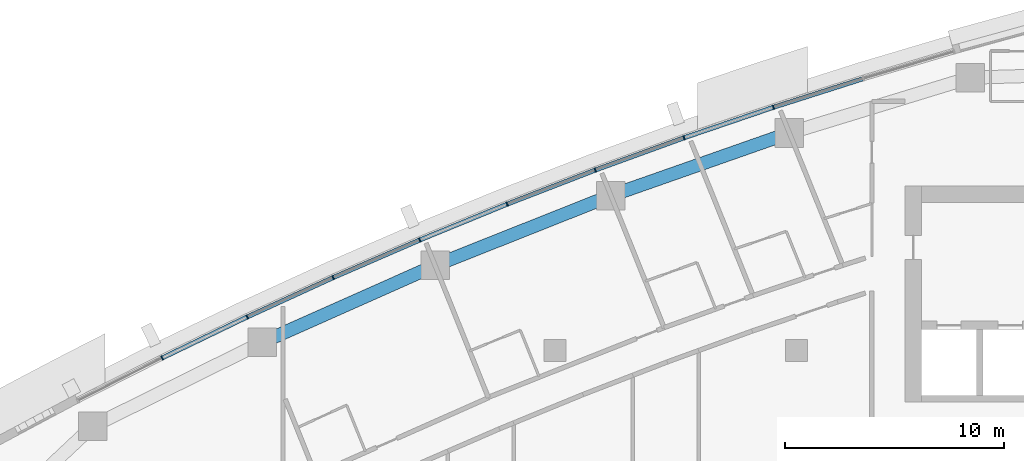
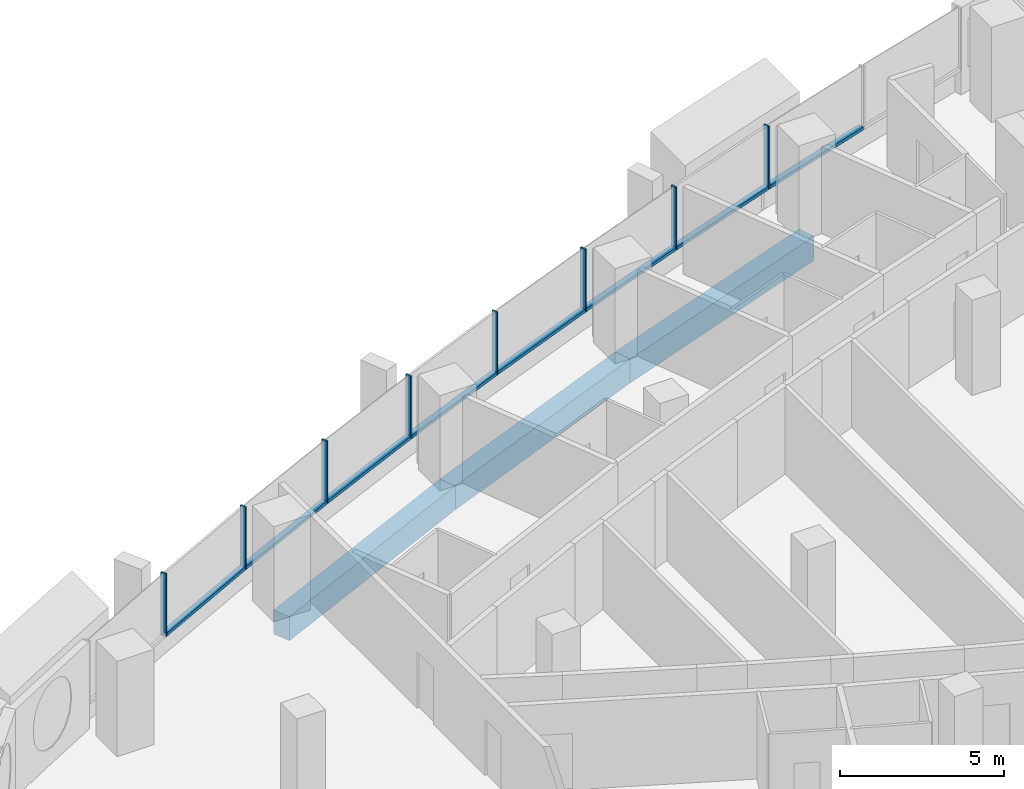
# One storey, part 6 of 17: 16 members, 3 beams, 5 elements without a shape of their own.
"""IFC4 building model written with IfcOpenShell, lengths in metres."""

import ifcopenshell
import ifcopenshell.guid

model = None  # the IFC model being written
_history = None  # IfcOwnerHistory: only IFC2X3 demands one
_inside = {}  # id of a spatial element -> (the spatial element, [elements in it])
_under = {}  # id of a project, library or spatial element -> (it, [spatial elements below it])
_declared = {}  # id of a project -> (the project, [libraries it declares])
_typed = {}  # id of a type object -> (the type object, [elements of that type])
_made_of = {}  # id of a material, layer set ... -> (it, [elements and type objects made of it])


def new_model(schema):
    """Start an empty IFC model of exactly this schema.

    Asked for "IFC4X3", IfcOpenShell would pick the latest addendum, in which some entities
    have other attributes; the version numbers below select the first issue.
    IFC2X3 requires an IfcOwnerHistory on every rooted entity: one is made here for all.
    """
    global model, _history
    if schema == "IFC4X3":
        model = ifcopenshell.file(schema_version=(4, 3, 0, 0))
    else:
        model = ifcopenshell.file(schema=schema)
    _inside.clear()
    _under.clear()
    _declared.clear()
    _typed.clear()
    _made_of.clear()
    _history = None
    if model.schema == "IFC2X3":
        org = make("IfcOrganization", Name="unknown")
        user = make(
            "IfcPersonAndOrganization",
            ThePerson=make("IfcPerson", FamilyName="unknown"),
            TheOrganization=org,
        )
        app = make(
            "IfcApplication",
            ApplicationDeveloper=org,
            Version="unknown",
            ApplicationFullName="unknown",
            ApplicationIdentifier="unknown",
        )
        _history = make(
            "IfcOwnerHistory",
            OwningUser=user,
            OwningApplication=app,
            ChangeAction="ADDED",
            CreationDate=0,
        )
    return model


def make(cls, **values):
    """One entity of the class cls with the attributes given. An attribute that is None is left unset."""
    return model.create_entity(
        cls, **{name: value for name, value in values.items() if value is not None}
    )


def rooted(cls, **values):
    """An entity with a GlobalId (a new one), such as an element, a storey or a relation."""
    return make(cls, GlobalId=ifcopenshell.guid.new(), OwnerHistory=_history, **values)


def si_unit(unit_type, name, prefix=None):
    """IfcSIUnit, for example si_unit("LENGTHUNIT", "METRE", prefix="MILLI")."""
    return make("IfcSIUnit", UnitType=unit_type, Prefix=prefix, Name=name)


def assignment(units):
    """IfcUnitAssignment: the units of a project."""
    return None if units is None else make("IfcUnitAssignment", Units=units)


def point(xyz):
    """IfcCartesianPoint."""
    return None if xyz is None else make("IfcCartesianPoint", Coordinates=xyz)


def direction(xyz):
    """IfcDirection."""
    return None if xyz is None else make("IfcDirection", DirectionRatios=xyz)


def frame(location, z_axis=None, x_axis=None):
    """IfcAxis2Placement3D, a coordinate frame: its origin and axes. An axis left out is left unset."""
    return make(
        "IfcAxis2Placement3D",
        Location=point(location),
        Axis=direction(z_axis),
        RefDirection=direction(x_axis),
    )


def frame_2d(location, x_axis=None):
    """IfcAxis2Placement2D, a coordinate frame in the plane: its origin and x axis."""
    return make(
        "IfcAxis2Placement2D", Location=point(location), RefDirection=direction(x_axis)
    )


def origin():
    """The frame at (0, 0, 0) with its axes left unset."""
    return frame((0.0, 0.0, 0.0))


def origin_2d():
    """The frame at (0, 0) in the plane with its x axis left unset."""
    return frame_2d((0.0, 0.0))


def place(relative_to, where):
    """IfcLocalPlacement: puts the frame where relative to a parent placement (None: the world)."""
    return make(
        "IfcLocalPlacement", PlacementRelTo=relative_to, RelativePlacement=where
    )


def context(
    kind, dimensions, precision=None, world=None, true_north=None, identifier=None
):
    """IfcGeometricRepresentationContext, for example the 3D "Model" context."""
    return make(
        "IfcGeometricRepresentationContext",
        ContextIdentifier=identifier,
        ContextType=kind,
        CoordinateSpaceDimension=dimensions,
        Precision=precision,
        WorldCoordinateSystem=world,
        TrueNorth=true_north,
    )


def subcontext(parent, identifier, kind, view, scale=None):
    """IfcGeometricRepresentationSubContext, for example "Body" below "Model"."""
    return make(
        "IfcGeometricRepresentationSubContext",
        ContextIdentifier=identifier,
        ContextType=kind,
        ParentContext=parent,
        TargetScale=scale,
        TargetView=view,
    )


def project(units=None, contexts=None):
    """IfcProject with its units and contexts."""
    return rooted(
        "IfcProject",
        Name="project",
        RepresentationContexts=contexts,
        UnitsInContext=assignment(units),
    )


def spatial(cls, under=None, at=None, **own):
    """A site, building, storey or space (cls), placed at a placement, below another one or the project."""
    s = rooted(cls, ObjectPlacement=at, **own)
    if under is not None:
        _under.setdefault(under.id(), (under, []))[1].append(s)
    return s


def profile(cls, at=None, kind="AREA", **sizes):
    """A parametric profile (cls). Its sizes go by their IFC names, for example OverallWidth=200.0."""
    return make(cls, ProfileType=kind, Position=at, **sizes)


def rectangle(**sizes):
    """IfcRectangleProfileDef."""
    return profile("IfcRectangleProfileDef", **sizes)


def extrude(swept, where, along, depth):
    """IfcExtrudedAreaSolid: the profile swept, set in the frame where, extruded along a direction by depth."""
    return make(
        "IfcExtrudedAreaSolid",
        SweptArea=swept,
        Position=where,
        ExtrudedDirection=direction(along),
        Depth=depth,
    )


def shape(context_of_items, identifier, shape_type, items):
    """IfcShapeRepresentation: the items that make up one representation, for example the "Body"."""
    return make(
        "IfcShapeRepresentation",
        ContextOfItems=context_of_items,
        RepresentationIdentifier=identifier,
        RepresentationType=shape_type,
        Items=items,
    )


def material(Name=None, Category=None):
    """IfcMaterial."""
    return make("IfcMaterial", Name=Name, Category=Category)


def layer(
    of_material, thickness, ventilated=None, Name=None, Category=None, Priority=None
):
    """IfcMaterialLayer: one layer of a wall or slab, of a material (None: an air gap)."""
    return make(
        "IfcMaterialLayer",
        Material=of_material,
        LayerThickness=thickness,
        IsVentilated=ventilated,
        Name=Name,
        Category=Category,
        Priority=Priority,
    )


def layer_set(layers, Name=None):
    """IfcMaterialLayerSet."""
    return make("IfcMaterialLayerSet", MaterialLayers=layers, LayerSetName=Name)


def material_profile(
    of_material, cross_section, Name=None, Category=None, Priority=None
):
    """IfcMaterialProfile: a cross section and its material."""
    return make(
        "IfcMaterialProfile",
        Name=Name,
        Material=of_material,
        Profile=cross_section,
        Priority=Priority,
        Category=Category,
    )


def profile_set(profiles, Name=None, composite=None):
    """IfcMaterialProfileSet."""
    return make(
        "IfcMaterialProfileSet",
        Name=Name,
        MaterialProfiles=profiles,
        CompositeProfile=composite,
    )


def made_of(thing, what):
    """Note that an element or type object is made of a material, layer set ...; save() writes the relation."""
    if what is not None:
        _made_of.setdefault(what.id(), (what, []))[1].append(thing)
    return thing


def type_object(cls, material=None, **own):
    """A type object (cls), such as IfcWallType, which elements share."""
    return made_of(rooted(cls, **own), material)


def element(
    cls,
    number,
    at=None,
    inside=None,
    cuts=None,
    type_object=None,
    material=None,
    context=None,
    identifier="Body",
    shape_type=None,
    held_by="IfcProductDefinitionShape",
    body=None,
    shapes=None,
    **own,
):
    """One element of the class cls, such as IfcWall. Its Tag is "e" and its number.

    at: its placement. inside: the storey or other place that contains it. cuts: it is an
    opening in that element (IfcRelVoidsElement). A single representation is given by context,
    identifier, shape_type and body (its items); several are given by shapes. held_by: the class
    of the entity that holds the representations. save() writes the other relations.
    """
    e = rooted(cls, Tag="e%d" % number, ObjectPlacement=at, **own)
    if body is not None:
        shapes = [shape(context, identifier, shape_type, body)]
    if shapes is not None:
        e.Representation = make(held_by, Representations=shapes)
    if inside is not None:
        _inside.setdefault(inside.id(), (inside, []))[1].append(e)
    if cuts is not None:
        rooted(
            "IfcRelVoidsElement", RelatingBuildingElement=cuts, RelatedOpeningElement=e
        )
    if type_object is not None:
        _typed.setdefault(type_object.id(), (type_object, []))[1].append(e)
    return made_of(e, material)


def aggregate(whole, parts):
    """IfcRelAggregates: a whole, such as a stair, and the parts it consists of."""
    return rooted("IfcRelAggregates", RelatingObject=whole, RelatedObjects=parts)


def save(model, path):
    """Write the relations noted so far, then the file.

    IfcRelAggregates (storeys below a building ...), IfcRelContainedInSpatialStructure (elements
    in a storey), IfcRelDefinesByType, IfcRelAssociatesMaterial and IfcRelDeclares: one each for
    every whole, place, type object, material and project.
    """
    for whole, parts in _under.values():
        aggregate(whole, parts)
    for where, things in _inside.values():
        rooted(
            "IfcRelContainedInSpatialStructure",
            RelatedElements=things,
            RelatingStructure=where,
        )
    for kind, things in _typed.values():
        rooted("IfcRelDefinesByType", RelatedObjects=things, RelatingType=kind)
    for what, things in _made_of.values():
        rooted("IfcRelAssociatesMaterial", RelatedObjects=things, RelatingMaterial=what)
    for by, libraries in _declared.values():
        rooted("IfcRelDeclares", RelatingContext=by, RelatedDefinitions=libraries)
    model.write(path)


model = new_model("IFC4")

# Units and contexts
model_context = context("Model", 3, precision=1e-05, world=origin(), true_north=direction((0.0, 1.0)))
body_context = subcontext(model_context, "Body", "Model", "MODEL_VIEW")
ifc_project = project(units=[si_unit("LENGTHUNIT", "METRE"), si_unit("AREAUNIT", "SQUARE_METRE"), si_unit("VOLUMEUNIT", "CUBIC_METRE"), si_unit("PLANEANGLEUNIT", "RADIAN"), si_unit("MASSUNIT", "GRAM", prefix="KILO")], contexts=[model_context])

# Site, building, storey
site_placement = place(None, origin())
site = spatial("IfcSite", under=ifc_project, at=site_placement, CompositionType="ELEMENT")
building_placement = place(site_placement, origin())
building = spatial("IfcBuilding", under=site, at=building_placement, Name="Ostrand Prow Hotel Tower", CompositionType="ELEMENT")
storey_placement = place(building_placement, frame((0.0, 0.0, 179.050048828125)))
storey = spatial("IfcBuildingStorey", under=building, at=storey_placement, Name="L44", CompositionType="ELEMENT", Elevation=179.050048828125)

# Beams
ifc_material_1 = material(Name="Concrete C60/75", Category="concrete")
ifc_material_profile_1 = material_profile(ifc_material_1, rectangle(XDim=0.60009765625, YDim=0.89990234375, at=origin_2d()), Name="RC 600x900")
ifc_profile_set_1 = profile_set([ifc_material_profile_1], Name="Concrete C60/75")
beam_type = type_object("IfcBeamType", Name="Edge beam 600x900 C60/75", PredefinedType="SPANDREL", material=ifc_profile_set_1)
for number, where, z_axis, x_axis, name in (
    (1, (44.6826171875, 18.91552734375, -0.75), (-0.943593618681, -0.33110584831, 0.0), (0.33110584831, -0.943593618681, 0.0), "Edge beam N2-N3"),
    (2, (36.547119140625, 16.060791015625, -0.75), (-0.929376173753, -0.36913402398, 0.0), (0.36913402398, -0.929376173753, 0.0), "Edge beam N3-N4"),
    (3, (28.5341796875, 12.878173828125, -0.75), (-0.91364332073, -0.406516767779, 0.0), (0.406516767779, -0.91364332073, 0.0), "Edge beam N4-N5"),
):
    element("IfcBeam", number, at=place(storey_placement, frame(where, z_axis=z_axis, x_axis=x_axis)), inside=storey, type_object=beam_type, Name=name, PredefinedType="SPANDREL", context=body_context, shape_type="SweptSolid", body=[
        extrude(rectangle(XDim=0.60009765625, YDim=0.89990234375, at=origin_2d()), origin(), (0.0, 0.0, 1.0), 8.621826171875),
    ])

# Curtain wall, member
ifc_material_2 = material(Name="Insulated glass in bronze anodised frame", Category="glass")
ifc_layer = layer(ifc_material_2, 0.199951171875)
ifc_layer_set = layer_set([ifc_layer], Name="Insulated glass in bronze anodised frame")
curtain_wall_type = type_object("IfcCurtainWallType", Name="Strip curtain wall, fritted glass over bronze spandrel", PredefinedType="NOTDEFINED", material=ifc_layer_set)
curtain_wall_1_placement = place(storey_placement, origin())
curtain_wall_1 = element("IfcCurtainWall", 4, at=curtain_wall_1_placement, inside=storey, type_object=curtain_wall_type, Name="CW1 run CWN1", PredefinedType="NOTDEFINED")
ifc_material_3 = material(Name="Bronze anodised aluminium", Category="aluminium")
ifc_material_profile_2 = material_profile(ifc_material_3, rectangle(XDim=0.199951171875, YDim=0.06005859375, at=origin_2d()), Name="Mullion 60x200 bronze anodised aluminium")
ifc_profile_set_2 = profile_set([ifc_material_profile_2], Name="Bronze anodised aluminium")
member_type_1 = type_object("IfcMemberType", Name="Mullion 60x200 bronze anodised aluminium", PredefinedType="MULLION", material=ifc_profile_set_2)
member_1_placement = place(storey_placement, frame((43.95361328125, 20.086669921875, 0.89990234375), z_axis=(0.0, 0.0, 1.0), x_axis=(0.303786970008, -0.952739983864, 0.0)))
member_1 = element("IfcMember", 5, at=member_1_placement, type_object=member_type_1, Name="CW1 mullion 3", PredefinedType="MULLION", context=body_context, shape_type="SweptSolid", body=[
    extrude(rectangle(XDim=0.199951171875, YDim=0.06005859375, at=origin_2d()), origin(), (0.0, 0.0, 1.0), 2.35009765625),
])

# Curtain wall, members
curtain_wall_2_placement = place(storey_placement, origin())
curtain_wall_2 = element("IfcCurtainWall", 6, at=curtain_wall_2_placement, inside=storey, type_object=curtain_wall_type, Name="CW1 run CWN2", PredefinedType="NOTDEFINED")
member_2_placement = place(storey_placement, frame((39.87939453125, 18.696533203125, 0.89990234375), z_axis=(0.0, 0.0, 1.0), x_axis=(0.341897134919, -0.939737383067, 0.0)))
member_2 = element("IfcMember", 7, at=member_2_placement, type_object=member_type_1, Name="CW1 mullion 2", PredefinedType="MULLION", context=body_context, shape_type="SweptSolid", body=[
    extrude(rectangle(XDim=0.199951171875, YDim=0.06005859375, at=origin_2d()), origin(), (0.0, 0.0, 1.0), 2.35009765625),
])
member_3_placement = place(storey_placement, frame((35.833740234375, 17.224609375, 0.89990234375), z_axis=(0.0, 0.0, 1.0), x_axis=(0.341897134919, -0.939737383067, 0.0)))
member_3 = element("IfcMember", 8, at=member_3_placement, type_object=member_type_1, Name="CW1 mullion 3", PredefinedType="MULLION", context=body_context, shape_type="SweptSolid", body=[
    extrude(rectangle(XDim=0.199951171875, YDim=0.06005859375, at=origin_2d()), origin(), (0.0, 0.0, 1.0), 2.35009765625),
])

curtain_wall_3_placement = place(storey_placement, origin())
curtain_wall_3 = element("IfcCurtainWall", 9, at=curtain_wall_3_placement, inside=storey, type_object=curtain_wall_type, Name="CW1 run CWN3", PredefinedType="NOTDEFINED")
member_4_placement = place(storey_placement, frame((31.818603515625, 15.671630859375, 0.89990234375), z_axis=(0.0, 0.0, 1.0), x_axis=(0.379452929936, -0.925211042932, 0.0)))
member_4 = element("IfcMember", 10, at=member_4_placement, type_object=member_type_1, Name="CW1 mullion 2", PredefinedType="MULLION", context=body_context, shape_type="SweptSolid", body=[
    extrude(rectangle(XDim=0.199951171875, YDim=0.06005859375, at=origin_2d()), origin(), (0.0, 0.0, 1.0), 2.35009765625),
])
member_5_placement = place(storey_placement, frame((27.83544921875, 14.0380859375, 0.89990234375), z_axis=(0.0, 0.0, 1.0), x_axis=(0.379452929936, -0.925211042932, 0.0)))
member_5 = element("IfcMember", 11, at=member_5_placement, type_object=member_type_1, Name="CW1 mullion 3", PredefinedType="MULLION", context=body_context, shape_type="SweptSolid", body=[
    extrude(rectangle(XDim=0.199951171875, YDim=0.06005859375, at=origin_2d()), origin(), (0.0, 0.0, 1.0), 2.35009765625),
])

curtain_wall_4_placement = place(storey_placement, origin())
curtain_wall_4 = element("IfcCurtainWall", 12, at=curtain_wall_4_placement, inside=storey, type_object=curtain_wall_type, Name="CW1 run CWN4", PredefinedType="NOTDEFINED")
member_6_placement = place(storey_placement, frame((23.885986328125, 12.32470703125, 0.89990234375), z_axis=(0.0, 0.0, 1.0), x_axis=(0.416393460127, -0.909184517226, 0.0)))
member_6 = element("IfcMember", 13, at=member_6_placement, type_object=member_type_1, Name="CW1 mullion 2", PredefinedType="MULLION", context=body_context, shape_type="SweptSolid", body=[
    extrude(rectangle(XDim=0.199951171875, YDim=0.06005859375, at=origin_2d()), origin(), (0.0, 0.0, 1.0), 2.35009765625),
])
member_7_placement = place(storey_placement, frame((19.971923828125, 10.531982421875, 0.89990234375), z_axis=(0.0, 0.0, 1.0), x_axis=(0.416393460127, -0.909184517226, 0.0)))
member_7 = element("IfcMember", 14, at=member_7_placement, type_object=member_type_1, Name="CW1 mullion 3", PredefinedType="MULLION", context=body_context, shape_type="SweptSolid", body=[
    extrude(rectangle(XDim=0.199951171875, YDim=0.06005859375, at=origin_2d()), origin(), (0.0, 0.0, 1.0), 2.35009765625),
])

# Curtain wall, member
curtain_wall_5_placement = place(storey_placement, origin())
curtain_wall_5 = element("IfcCurtainWall", 15, at=curtain_wall_5_placement, inside=storey, type_object=curtain_wall_type, Name="CW1 run CWN5", PredefinedType="NOTDEFINED")
member_8_placement = place(storey_placement, frame((16.0947265625, 8.660888671875, 0.89990234375), z_axis=(0.0, 0.0, 1.0), x_axis=(0.452658828186, -0.891683792196, 0.0)))
member_8 = element("IfcMember", 16, at=member_8_placement, type_object=member_type_1, Name="CW1 mullion 2", PredefinedType="MULLION", context=body_context, shape_type="SweptSolid", body=[
    extrude(rectangle(XDim=0.199951171875, YDim=0.06005859375, at=origin_2d()), origin(), (0.0, 0.0, 1.0), 2.35009765625),
])

# Member
ifc_material_4 = material(Name="Bronze anodised aluminium", Category="aluminium")
ifc_material_profile_3 = material_profile(ifc_material_4, rectangle(XDim=0.199951171875, YDim=0.1201171875, at=origin_2d()), Name="Transom 120x200 bronze anodised aluminium")
ifc_profile_set_3 = profile_set([ifc_material_profile_3], Name="Bronze anodised aluminium")
member_type_2 = type_object("IfcMemberType", Name="Transom 120x200 bronze anodised aluminium", PredefinedType="USERDEFINED", material=ifc_profile_set_3)
member_9_placement = place(storey_placement, frame((48.026611328125, 21.385498046875, 0.9599609375), z_axis=(-0.952737512605, -0.303794720289, 0.0), x_axis=(0.303794720289, -0.952737512605, 0.0)))
member_9 = element("IfcMember", 17, at=member_9_placement, type_object=member_type_2, Name="CW1 transom 2.1", ObjectType="TRANSOM", PredefinedType="USERDEFINED", context=body_context, shape_type="SweptSolid", body=[
    extrude(rectangle(XDim=0.199951171875, YDim=0.1201171875, at=origin_2d()), origin(), (0.0, 0.0, 1.0), 4.244873046875),
])

aggregate(curtain_wall_1, [member_1, member_9])

member_10_placement = place(storey_placement, frame((43.92529296875, 20.0771484375, 0.9599609375), z_axis=(-0.946422327772, -0.322931536852, 0.0), x_axis=(0.322931536852, -0.946422327772, 0.0)))
member_10 = element("IfcMember", 18, at=member_10_placement, type_object=member_type_2, Name="CW1 transom 1.1", ObjectType="TRANSOM", PredefinedType="USERDEFINED", context=body_context, shape_type="SweptSolid", body=[
    extrude(rectangle(XDim=0.199951171875, YDim=0.1201171875, at=origin_2d()), origin(), (0.0, 0.0, 1.0), 4.2451171875),
])

member_11_placement = place(storey_placement, frame((39.85107421875, 18.686279296875, 0.9599609375), z_axis=(-0.939753116272, -0.341853887584, 0.0), x_axis=(0.341853887584, -0.939753116272, 0.0)))
member_11 = element("IfcMember", 19, at=member_11_placement, type_object=member_type_2, Name="CW1 transom 2.1", ObjectType="TRANSOM", PredefinedType="USERDEFINED", context=body_context, shape_type="SweptSolid", body=[
    extrude(rectangle(XDim=0.199951171875, YDim=0.1201171875, at=origin_2d()), origin(), (0.0, 0.0, 1.0), 4.2451171875),
])

aggregate(curtain_wall_2, [member_2, member_3, member_10, member_11])

member_12_placement = place(storey_placement, frame((35.8056640625, 17.2138671875, 0.9599609375), z_axis=(-0.932675482501, -0.360716570651, 0.0), x_axis=(0.360716570651, -0.932675482501, 0.0)))
member_12 = element("IfcMember", 20, at=member_12_placement, type_object=member_type_2, Name="CW1 transom 1.1", ObjectType="TRANSOM", PredefinedType="USERDEFINED", context=body_context, shape_type="SweptSolid", body=[
    extrude(rectangle(XDim=0.199951171875, YDim=0.1201171875, at=origin_2d()), origin(), (0.0, 0.0, 1.0), 4.2451171875),
])

member_13_placement = place(storey_placement, frame((31.790771484375, 15.660400390625, 0.9599609375), z_axis=(-0.925213143858, -0.379447807258, 0.0), x_axis=(0.379447807258, -0.925213143858, 0.0)))
member_13 = element("IfcMember", 21, at=member_13_placement, type_object=member_type_2, Name="CW1 transom 2.1", ObjectType="TRANSOM", PredefinedType="USERDEFINED", context=body_context, shape_type="SweptSolid", body=[
    extrude(rectangle(XDim=0.199951171875, YDim=0.1201171875, at=origin_2d()), origin(), (0.0, 0.0, 1.0), 4.2451171875),
])

aggregate(curtain_wall_3, [member_4, member_5, member_12, member_13])

member_14_placement = place(storey_placement, frame((27.807861328125, 14.026123046875, 0.9599609375), z_axis=(-0.917389785482, -0.397989926371, 0.0), x_axis=(0.397989926371, -0.917389785482, 0.0)))
member_14 = element("IfcMember", 22, at=member_14_placement, type_object=member_type_2, Name="CW1 transom 1.1", ObjectType="TRANSOM", PredefinedType="USERDEFINED", context=body_context, shape_type="SweptSolid", body=[
    extrude(rectangle(XDim=0.199951171875, YDim=0.1201171875, at=origin_2d()), origin(), (0.0, 0.0, 1.0), 4.244873046875),
])

member_15_placement = place(storey_placement, frame((23.858642578125, 12.312255859375, 0.9599609375), z_axis=(-0.909159196143, -0.416448743628, 0.0), x_axis=(0.416448743628, -0.909159196143, 0.0)))
member_15 = element("IfcMember", 23, at=member_15_placement, type_object=member_type_2, Name="CW1 transom 2.1", ObjectType="TRANSOM", PredefinedType="USERDEFINED", context=body_context, shape_type="SweptSolid", body=[
    extrude(rectangle(XDim=0.199951171875, YDim=0.1201171875, at=origin_2d()), origin(), (0.0, 0.0, 1.0), 4.244873046875),
])

aggregate(curtain_wall_4, [member_6, member_7, member_14, member_15])

member_16_placement = place(storey_placement, frame((19.94482421875, 10.51904296875, 0.9599609375), z_axis=(-0.900619174345, -0.434609137965, 0.0), x_axis=(0.434609137965, -0.900619174345, 0.0)))
member_16 = element("IfcMember", 24, at=member_16_placement, type_object=member_type_2, Name="CW1 transom 1.1", ObjectType="TRANSOM", PredefinedType="USERDEFINED", context=body_context, shape_type="SweptSolid", body=[
    extrude(rectangle(XDim=0.199951171875, YDim=0.1201171875, at=origin_2d()), origin(), (0.0, 0.0, 1.0), 4.2451171875),
])

aggregate(curtain_wall_5, [member_8, member_16])

save(model, "model.ifc")
